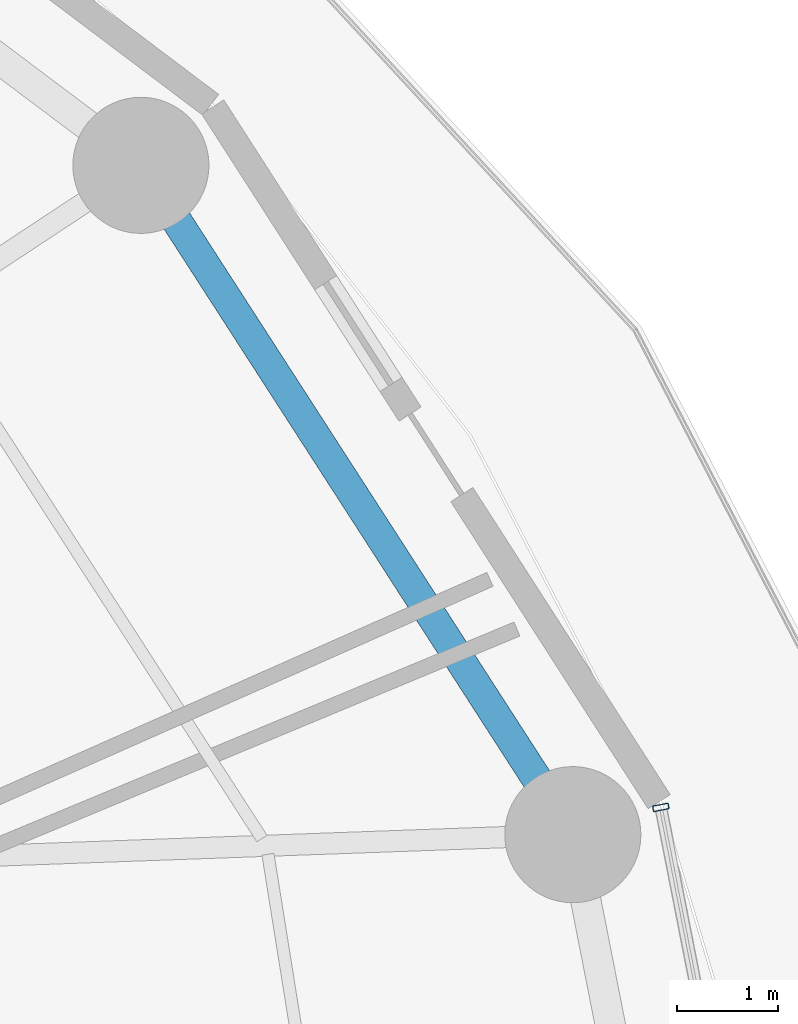
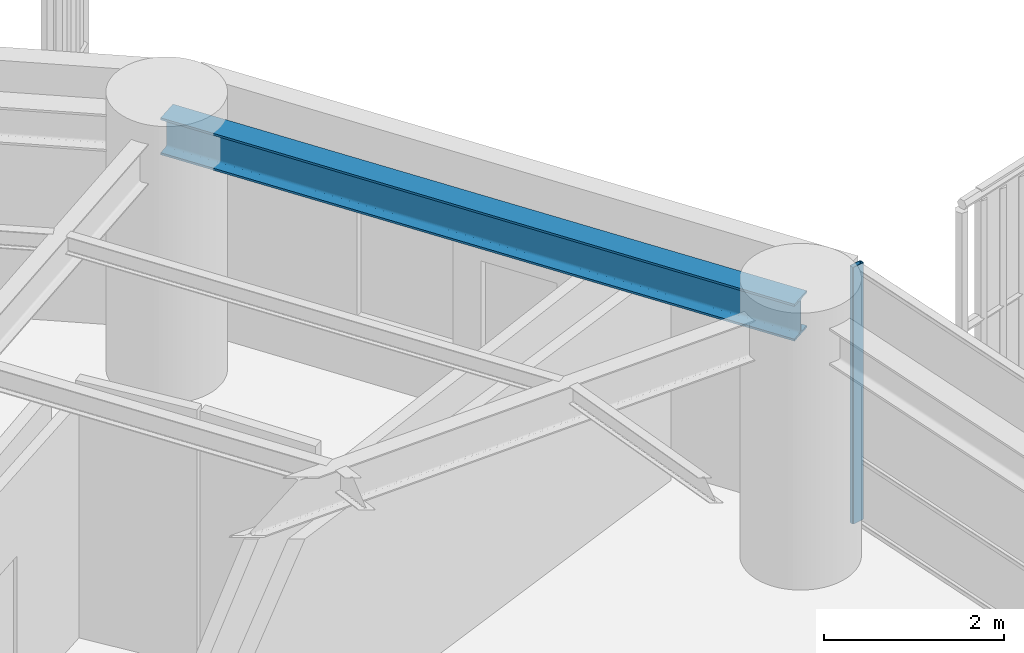
# One storey, part 25 of 35: 1 beam, 1 member, 1 element without a shape of its own.
"""IFC4 building model written with IfcOpenShell, lengths in metres."""

from ifc_helpers import new_model, si_unit, direction, frame, origin, origin_2d, place, context, subcontext, project, spatial, hollow_rectangle, i_section, extrude, material, layer, layer_set, material_profile, profile_set, type_object, element, aggregate, save


model = new_model("IFC4")

# Units and contexts
model_context = context("Model", 3, precision=1e-05, world=origin(), true_north=direction((0.0, 1.0)))
body_context = subcontext(model_context, "Body", "Model", "MODEL_VIEW")
ifc_project = project(units=[si_unit("LENGTHUNIT", "METRE"), si_unit("AREAUNIT", "SQUARE_METRE"), si_unit("VOLUMEUNIT", "CUBIC_METRE"), si_unit("PLANEANGLEUNIT", "RADIAN"), si_unit("MASSUNIT", "GRAM", prefix="KILO")], contexts=[model_context])

# Site, building, storey
site_placement = place(None, origin())
site = spatial("IfcSite", under=ifc_project, at=site_placement, CompositionType="ELEMENT")
building_placement = place(site_placement, origin())
building = spatial("IfcBuilding", under=site, at=building_placement, Name="Kelanora Arch Commons", CompositionType="ELEMENT")
storey_placement = place(building_placement, frame((0.0, 0.0, 87.60009765625)))
storey = spatial("IfcBuildingStorey", under=building, at=storey_placement, Name="L22", CompositionType="ELEMENT", Elevation=87.60009765625)

# Beam
ifc_material_1 = material(Name="Steel S355", Category="steel")
ifc_material_profile_1 = material_profile(ifc_material_1, i_section(OverallWidth=0.300048828125, OverallDepth=0.5, WebThickness=0.014404296875, FlangeThickness=0.028076171875, FilletRadius=0.027099609375, at=origin_2d()), Name="HEB500")
ifc_profile_set_1 = profile_set([ifc_material_profile_1], Name="Steel S355")
beam_type = type_object("IfcBeamType", Name="BM-SPN-Z2", PredefinedType="SPANDREL", material=ifc_profile_set_1)
beam_placement = place(storey_placement, frame((97.191650390625, 65.5517578125, 3.239990234375), z_axis=(-0.542221144054, 0.840235818649, 0.0), x_axis=(-0.840235818649, -0.542221144054, 0.0)))
element("IfcBeam", 1, at=beam_placement, inside=storey, type_object=beam_type, Name="Perimeter Spandrel Beam BS-02 L22", PredefinedType="SPANDREL", context=body_context, shape_type="SweptSolid", body=[
    extrude(i_section(OverallWidth=0.300048828125, OverallDepth=0.5, WebThickness=0.014404296875, FlangeThickness=0.028076171875, FilletRadius=0.027099609375, at=origin_2d()), origin(), (0.0, 0.0, 1.0), 7.90380859375),
])

# Curtain wall, member
ifc_material_2 = material(Name="Terracotta ceramic-fritted low-E glass and aluminium", Category="masonry")
ifc_layer = layer(ifc_material_2, 0.159912109375)
ifc_layer_set = layer_set([ifc_layer], Name="Terracotta ceramic-fritted low-E glass and aluminium")
curtain_wall_type = type_object("IfcCurtainWallType", Name="CW-SYS-01", PredefinedType="NOTDEFINED", material=ifc_layer_set)
curtain_wall_placement = place(storey_placement, origin())
curtain_wall = element("IfcCurtainWall", 2, at=curtain_wall_placement, inside=storey, type_object=curtain_wall_type, Name="Unitised Curtain Wall L22-B00", PredefinedType="NOTDEFINED")
ifc_material_3 = material(Name="Powder-coated aluminium terracotta", Category="masonry")
ifc_material_profile_2 = material_profile(ifc_material_3, hollow_rectangle(XDim=0.159912109375, YDim=0.06005859375, WallThickness=0.0048828125, InnerFilletRadius=0.0048828125, OuterFilletRadius=0.010009765625, at=origin_2d()), Name="CWM160x60")
ifc_profile_set_2 = profile_set([ifc_material_profile_2], Name="Powder-coated aluminium terracotta")
member_type = type_object("IfcMemberType", Name="CWM-STD", PredefinedType="MULLION", material=ifc_profile_set_2)
member_placement = place(storey_placement, frame((98.064697265625, 65.822265625, 0.0), z_axis=(0.0, 0.0, 1.0), x_axis=(-0.981280311646, -0.192584916272, 0.0)))
member = element("IfcMember", 3, at=member_placement, type_object=member_type, Name="CW-01 mullion 3", PredefinedType="MULLION", context=body_context, shape_type="SweptSolid", body=[
    extrude(hollow_rectangle(XDim=0.159912109375, YDim=0.06005859375, WallThickness=0.0048828125, InnerFilletRadius=0.0048828125, OuterFilletRadius=0.010009765625, at=origin_2d()), origin(), (0.0, 0.0, 1.0), 3.474853515625),
])
aggregate(curtain_wall, [member])

save(model, "model.ifc")
